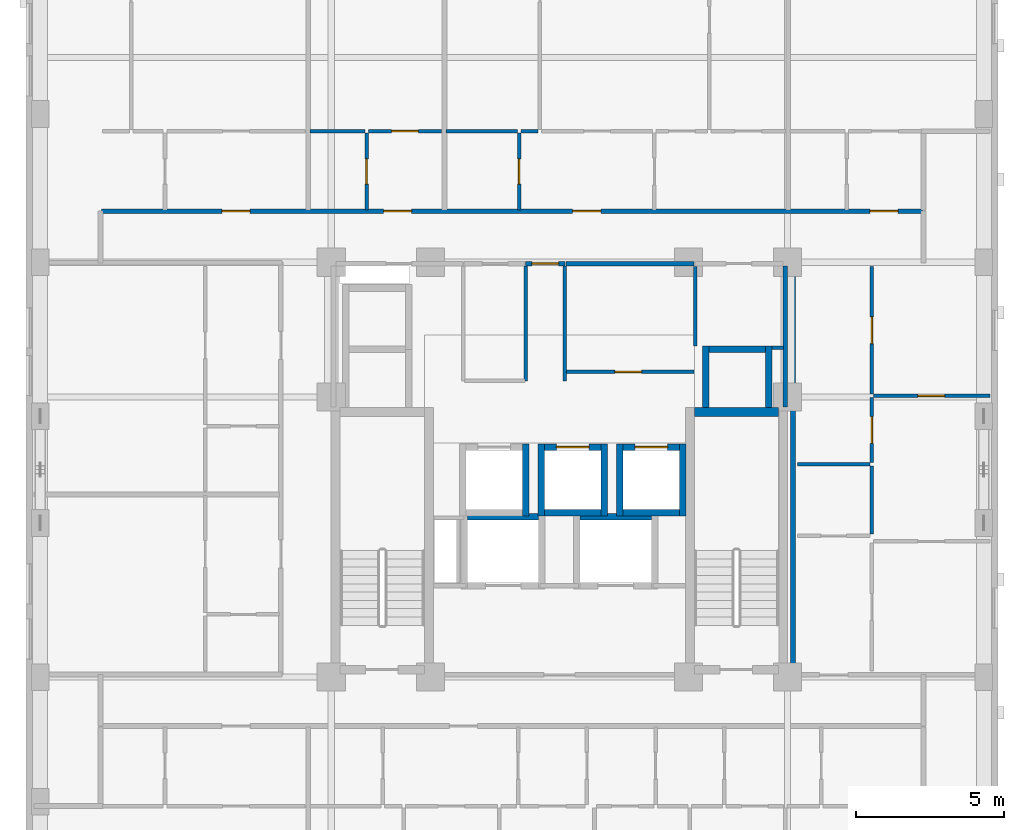
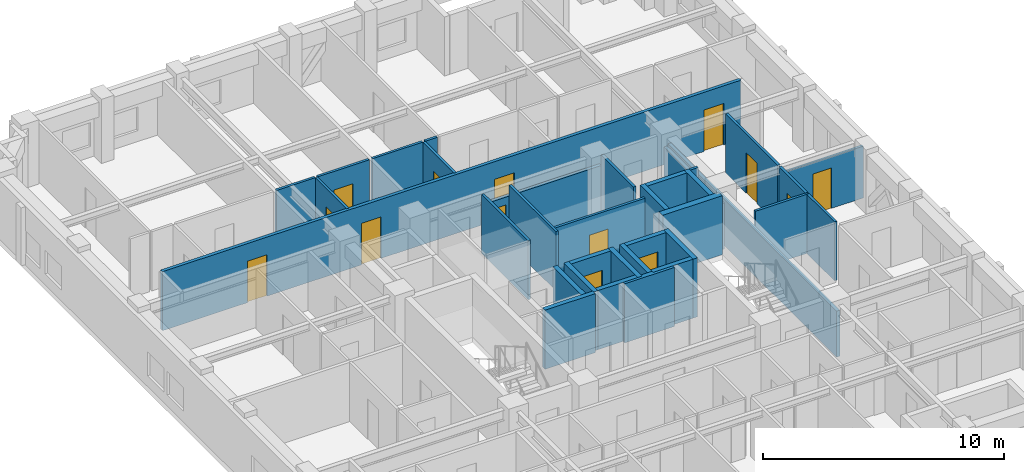
# One storey, part 6 of 11: 36 walls, 14 doors, 14 openings.
"""IFC4 building model written with IfcOpenShell, lengths in metres."""

from ifc_helpers import new_model, si_unit, derived_unit, direction, frame, frame_2d, origin, place, context, subcontext, project, spatial, rectangle, extrude, material, layer, layer_set, type_object, element, fill, save


model = new_model("IFC4")

# Units and contexts
model_context = context("Model", 3, precision=1e-05, world=origin(), true_north=direction((0.0, 1.0)))
body_context = subcontext(model_context, "Body", "Model", "MODEL_VIEW")
ifc_project = project(units=[si_unit("LENGTHUNIT", "METRE"), si_unit("AREAUNIT", "SQUARE_METRE"), si_unit("VOLUMEUNIT", "CUBIC_METRE"), si_unit("PLANEANGLEUNIT", "RADIAN"), si_unit("MASSUNIT", "GRAM", prefix="KILO"), derived_unit("THERMALTRANSMITTANCEUNIT", [(si_unit("MASSUNIT", "GRAM", prefix="KILO"), 1), (si_unit("TIMEUNIT", "SECOND"), -3), (si_unit("THERMODYNAMICTEMPERATUREUNIT", "KELVIN"), -1)])], contexts=[model_context])

# Site, building, storey
site_placement = place(None, origin())
site = spatial("IfcSite", under=ifc_project, at=site_placement, CompositionType="ELEMENT")
building_placement = place(site_placement, origin())
building = spatial("IfcBuilding", under=site, at=building_placement, Name="Korrvale Station Residences", CompositionType="ELEMENT")
storey_placement = place(building_placement, frame((0.0, 0.0, 147.14990234375)))
storey = spatial("IfcBuildingStorey", under=building, at=storey_placement, Name="L42", CompositionType="ELEMENT", Elevation=147.14990234375)

# Walls
ifc_material_1 = material(Name="Concrete C60/75", Category="concrete")
ifc_layer_1 = layer(ifc_material_1, 0.300048828125, Name="Concrete C60/75")
ifc_layer_set_1 = layer_set([ifc_layer_1], Name="Concrete C60/75")
wall_type_1 = type_object("IfcWallType", Name="WAL-CORE-300-C60", PredefinedType="SHEAR", material=ifc_layer_set_1)
wall_1_placement = place(storey_placement, frame((30.050048828125, 23.949951171875, 0.0), z_axis=(0.0, 0.0, 1.0), x_axis=(1.0, 0.0, 0.0)))
element("IfcWall", 1, at=wall_1_placement, inside=storey, type_object=wall_type_1, Name="L42 ST-2 Core Shear Wall North", PredefinedType="SHEAR", context=body_context, shape_type="SweptSolid", body=[
    extrude(rectangle(XDim=2.849853515625, YDim=0.300048828125, at=frame_2d((1.4248046875, 0.0))), origin(), (0.0, 0.0, 1.0), 2.989990234375),
])
ifc_material_2 = material(Name="Acoustic steel-stud gypsum board partition", Category="steel")
ifc_layer_2 = layer(ifc_material_2, 0.1201171875, Name="Acoustic steel-stud gypsum board partition")
ifc_layer_set_2 = layer_set([ifc_layer_2], Name="Acoustic steel-stud gypsum board partition")
wall_type_2 = type_object("IfcWallType", Name="WAL-PART-125", PredefinedType="PARTITIONING", material=ifc_layer_set_2)
for number, where, z_axis, x_axis, name in (
    (2, (24.360107421875, 25.0, 0.0), (0.0, 0.0, 1.0), (0.0, 1.0, 0.0), "L42 Core Partition CW-PSG-W"),
    (3, (25.679931640625, 25.0, 0.0), (0.0, 0.0, 1.0), (0.0, 1.0, 0.0), "L42 Core Partition CW-PSG-E"),
):
    element("IfcWall", number, at=place(storey_placement, frame(where, z_axis=z_axis, x_axis=x_axis)), inside=storey, type_object=wall_type_2, Name=name, PredefinedType="PARTITIONING", context=body_context, shape_type="SweptSolid", body=[
        extrude(rectangle(XDim=3.8701171875, YDim=0.1201171875, at=frame_2d((1.93505859375, 0.0))), origin(), (0.0, 0.0, 1.0), 2.989990234375),
    ])
wall_2_placement = place(storey_placement, frame((30.080078125, 26.179931640625, 0.0), z_axis=(0.0, 0.0, 1.0), x_axis=(0.0, 1.0, 0.0)))
element("IfcWall", 4, at=wall_2_placement, inside=storey, type_object=wall_type_2, Name="L42 Core Partition CW-CS-W", PredefinedType="PARTITIONING", context=body_context, shape_type="SweptSolid", body=[
    extrude(rectangle(XDim=2.68017578125, YDim=0.1201171875, at=frame_2d((1.340087890625, 0.0))), origin(), (0.0, 0.0, 1.0), 2.989990234375),
])
wall_3_placement = place(storey_placement, frame((32.679931640625, 26.1201171875, 0.0), z_axis=(0.0, 0.0, 1.0), x_axis=(1.0, 0.0, 0.0)))
element("IfcWall", 5, at=wall_3_placement, inside=storey, type_object=wall_type_2, Name="L42 Core Partition CW-CS-S", PredefinedType="PARTITIONING", context=body_context, shape_type="SweptSolid", body=[
    extrude(rectangle(XDim=0.380126953125, YDim=0.1201171875, at=frame_2d((0.18994140625, 0.0))), origin(), (0.0, 0.0, 1.0), 2.989990234375),
])

# Wall, opening, door
wall_4_placement = place(storey_placement, frame((25.719970703125, 25.300048828125, 0.0), z_axis=(0.0, 0.0, 1.0), x_axis=(1.0, 0.0, 0.0)))
wall_4 = element("IfcWall", 6, at=wall_4_placement, inside=storey, type_object=wall_type_2, Name="L42 Core Partition CW-FPLE-S", PredefinedType="PARTITIONING", context=body_context, shape_type="SweptSolid", body=[
    extrude(rectangle(XDim=4.320068359375, YDim=0.1201171875, at=frame_2d((2.16015625, 0.0))), origin(), (0.0, 0.0, 1.0), 2.989990234375),
])
opening_1_placement = place(wall_4_placement, frame((1.64990234375, 0.0, 0.0)))
opening_1 = element("IfcOpeningElement", 7, at=opening_1_placement, cuts=wall_4, Name="Opening DI-900", PredefinedType="OPENING", context=body_context, shape_type="SweptSolid", body=[
    extrude(rectangle(XDim=0.89990234375, YDim=2.050048828125, at=frame_2d((0.449951171875, 1.02490234375))), frame((0.0, 0.070068359375, 0.0), z_axis=(0.0, -1.0, 0.0), x_axis=(1.0, 0.0, 0.0)), (0.0, 0.0, 1.0), 0.14013671875),
])
ifc_material_3 = material(Name="Painted solid-core timber interior room door", Category="wood")
door_type_1 = type_object("IfcDoorType", Name="DR-INT-900", OperationType="NOTDEFINED", PredefinedType="DOOR", material=ifc_material_3)
door_1_placement = place(opening_1_placement, origin())
door_1 = element("IfcDoor", 8, at=door_1_placement, inside=storey, type_object=door_type_1, Name="L42 Housekeeping Linen Door", OperationType="SINGLE_SWING_LEFT", OverallHeight=2.050048828125, OverallWidth=0.89990234375, PredefinedType="DOOR", context=body_context, shape_type="SweptSolid", body=[
    extrude(rectangle(XDim=0.89990234375, YDim=2.050048828125, at=frame_2d((0.449951171875, 1.02490234375))), frame((0.0, 0.02490234375, 0.0), z_axis=(0.0, -1.0, 0.0), x_axis=(1.0, 0.0, 0.0)), (0.0, 0.0, 1.0), 0.050048828125),
])
fill(opening_1, door_1)

wall_5_placement = place(storey_placement, frame((18.993896484375, 30.760009765625, 0.0), z_axis=(0.0, 0.0, 1.0), x_axis=(0.0, 1.0, 0.0)))
wall_5 = element("IfcWall", 9, at=wall_5_placement, inside=storey, type_object=wall_type_2, Name="L42 Suite Partition U04-V01", PredefinedType="PARTITIONING", context=body_context, shape_type="SweptSolid", body=[
    extrude(rectangle(XDim=2.60009765625, YDim=0.1201171875, at=frame_2d((1.300048828125, 0.0))), origin(), (0.0, 0.0, 1.0), 2.989990234375),
])
opening_2_placement = place(wall_5_placement, frame((0.8701171875, 0.0, 0.0)))
opening_2 = element("IfcOpeningElement", 10, at=opening_2_placement, cuts=wall_5, Name="Opening DB-860", PredefinedType="OPENING", context=body_context, shape_type="SweptSolid", body=[
    extrude(rectangle(XDim=0.860107421875, YDim=2.050048828125, at=frame_2d((0.43017578125, 1.02490234375))), frame((0.0, 0.070068359375, 0.0), z_axis=(0.0, -1.0, 0.0), x_axis=(1.0, 0.0, 0.0)), (0.0, 0.0, 1.0), 0.14013671875),
])
ifc_material_4 = material(Name="Moisture-resistant solid-core bathroom door", Category="timber")
door_type_2 = type_object("IfcDoorType", Name="DR-BATH-860", OperationType="NOTDEFINED", PredefinedType="DOOR", material=ifc_material_4)
door_2_placement = place(opening_2_placement, origin())
door_2 = element("IfcDoor", 11, at=door_2_placement, inside=storey, type_object=door_type_2, Name="L42 Studio Apartment L42-U04 Bathroom Door", OperationType="SINGLE_SWING_LEFT", OverallHeight=2.050048828125, OverallWidth=0.860107421875, PredefinedType="DOOR", context=body_context, shape_type="SweptSolid", body=[
    extrude(rectangle(XDim=0.860107421875, YDim=2.050048828125, at=frame_2d((0.43017578125, 1.02490234375))), frame((0.0, 0.02490234375, 0.0), z_axis=(0.0, -1.0, 0.0), x_axis=(1.0, 0.0, 0.0)), (0.0, 0.0, 1.0), 0.050048828125),
])
fill(opening_2, door_2)

# Wall
wall_6_placement = place(storey_placement, frame((17.083984375, 33.419921875, 0.0), z_axis=(0.0, 0.0, 1.0), x_axis=(1.0, 0.0, 0.0)))
element("IfcWall", 12, at=wall_6_placement, inside=storey, type_object=wall_type_2, Name="L42 Suite Partition U04-H02", PredefinedType="PARTITIONING", context=body_context, shape_type="SweptSolid", body=[
    extrude(rectangle(XDim=1.85009765625, YDim=0.1201171875, at=frame_2d((0.925048828125, 0.0))), origin(), (0.0, 0.0, 1.0), 2.989990234375),
])

# Wall, opening, door
wall_7_placement = place(storey_placement, frame((19.053955078125, 33.419921875, 0.0), z_axis=(0.0, 0.0, 1.0), x_axis=(1.0, 0.0, 0.0)))
wall_7 = element("IfcWall", 13, at=wall_7_placement, inside=storey, type_object=wall_type_2, Name="L42 Suite Partition U04-H12", PredefinedType="PARTITIONING", context=body_context, shape_type="SweptSolid", body=[
    extrude(rectangle(XDim=2.467041015625, YDim=0.1201171875, at=frame_2d((1.2333984375, 0.0))), origin(), (0.0, 0.0, 1.0), 2.989990234375),
])
opening_3_placement = place(wall_7_placement, frame((0.782958984375, 0.0, 0.0)))
opening_3 = element("IfcOpeningElement", 14, at=opening_3_placement, cuts=wall_7, Name="Opening DI-900", PredefinedType="OPENING", context=body_context, shape_type="SweptSolid", body=[
    extrude(rectangle(XDim=0.89990234375, YDim=2.050048828125, at=frame_2d((0.449951171875, 1.02490234375))), frame((0.0, 0.070068359375, 0.0), z_axis=(0.0, -1.0, 0.0), x_axis=(1.0, 0.0, 0.0)), (0.0, 0.0, 1.0), 0.14013671875),
])
door_3_placement = place(opening_3_placement, origin())
door_3 = element("IfcDoor", 15, at=door_3_placement, inside=storey, type_object=door_type_1, Name="L42 Studio Apartment L42-U04 Kitchen Door", OperationType="SINGLE_SWING_RIGHT", OverallHeight=2.050048828125, OverallWidth=0.89990234375, PredefinedType="DOOR", context=body_context, shape_type="SweptSolid", body=[
    extrude(rectangle(XDim=0.89990234375, YDim=2.050048828125, at=frame_2d((0.449951171875, 1.02490234375))), frame((0.0, 0.02490234375, 0.0), z_axis=(0.0, -1.0, 0.0), x_axis=(1.0, 0.0, 0.0)), (0.0, 0.0, 1.0), 0.050048828125),
])
fill(opening_3, door_3)

wall_8_placement = place(storey_placement, frame((24.14111328125, 30.760009765625, 0.0), z_axis=(0.0, 0.0, 1.0), x_axis=(0.0, 1.0, 0.0)))
wall_8 = element("IfcWall", 16, at=wall_8_placement, inside=storey, type_object=wall_type_2, Name="L42 Suite Partition U05-V01", PredefinedType="PARTITIONING", context=body_context, shape_type="SweptSolid", body=[
    extrude(rectangle(XDim=2.60009765625, YDim=0.1201171875, at=frame_2d((1.300048828125, 0.0))), origin(), (0.0, 0.0, 1.0), 2.989990234375),
])
opening_4_placement = place(wall_8_placement, frame((0.8701171875, 0.0, 0.0)))
opening_4 = element("IfcOpeningElement", 17, at=opening_4_placement, cuts=wall_8, Name="Opening DB-860", PredefinedType="OPENING", context=body_context, shape_type="SweptSolid", body=[
    extrude(rectangle(XDim=0.860107421875, YDim=2.050048828125, at=frame_2d((0.43017578125, 1.02490234375))), frame((0.0, 0.070068359375, 0.0), z_axis=(0.0, -1.0, 0.0), x_axis=(1.0, 0.0, 0.0)), (0.0, 0.0, 1.0), 0.14013671875),
])
door_4_placement = place(opening_4_placement, origin())
door_4 = element("IfcDoor", 18, at=door_4_placement, inside=storey, type_object=door_type_2, Name="L42 Studio Apartment L42-U05 Bathroom Door", OperationType="SINGLE_SWING_LEFT", OverallHeight=2.050048828125, OverallWidth=0.860107421875, PredefinedType="DOOR", context=body_context, shape_type="SweptSolid", body=[
    extrude(rectangle(XDim=0.860107421875, YDim=2.050048828125, at=frame_2d((0.43017578125, 1.02490234375))), frame((0.0, 0.02490234375, 0.0), z_axis=(0.0, -1.0, 0.0), x_axis=(1.0, 0.0, 0.0)), (0.0, 0.0, 1.0), 0.050048828125),
])
fill(opening_4, door_4)

# Walls
wall_9_placement = place(storey_placement, frame((21.680908203125, 33.419921875, 0.0), z_axis=(0.0, 0.0, 1.0), x_axis=(1.0, 0.0, 0.0)))
element("IfcWall", 19, at=wall_9_placement, inside=storey, type_object=wall_type_2, Name="L42 Suite Partition U05-H03", PredefinedType="PARTITIONING", context=body_context, shape_type="SweptSolid", body=[
    extrude(rectangle(XDim=2.400146484375, YDim=0.1201171875, at=frame_2d((1.2001953125, 0.0))), origin(), (0.0, 0.0, 1.0), 2.989990234375),
])
wall_10_placement = place(storey_placement, frame((24.200927734375, 33.419921875, 0.0), z_axis=(0.0, 0.0, 1.0), x_axis=(1.0, 0.0, 0.0)))
element("IfcWall", 20, at=wall_10_placement, inside=storey, type_object=wall_type_2, Name="L42 Suite Partition U05-H13", PredefinedType="PARTITIONING", context=body_context, shape_type="SweptSolid", body=[
    extrude(rectangle(XDim=0.580078125, YDim=0.1201171875, at=frame_2d((0.2900390625, 0.0))), origin(), (0.0, 0.0, 1.0), 2.989990234375),
])
wall_11_placement = place(storey_placement, frame((33.530029296875, 22.18994140625, 0.0), z_axis=(0.0, 0.0, 1.0), x_axis=(1.0, 0.0, 0.0)))
element("IfcWall", 21, at=wall_11_placement, inside=storey, type_object=wall_type_2, Name="L42 Suite Partition U09-H01", PredefinedType="PARTITIONING", context=body_context, shape_type="SweptSolid", body=[
    extrude(rectangle(XDim=2.449951171875, YDim=0.1201171875, at=frame_2d((1.22509765625, 0.0))), origin(), (0.0, 0.0, 1.0), 2.989990234375),
])

# Wall, opening, door
wall_12_placement = place(storey_placement, frame((36.0400390625, 22.25, 0.0), z_axis=(0.0, 0.0, 1.0), x_axis=(0.0, 1.0, 0.0)))
wall_12 = element("IfcWall", 22, at=wall_12_placement, inside=storey, type_object=wall_type_2, Name="L42 Suite Partition U09-V04", PredefinedType="PARTITIONING", context=body_context, shape_type="SweptSolid", body=[
    extrude(rectangle(XDim=2.181884765625, YDim=0.1201171875, at=frame_2d((1.0908203125, 0.0))), origin(), (0.0, 0.0, 1.0), 2.989990234375),
])
opening_5_placement = place(wall_12_placement, frame((0.64111328125, 0.0, 0.0)))
opening_5 = element("IfcOpeningElement", 23, at=opening_5_placement, cuts=wall_12, Name="Opening DI-900", PredefinedType="OPENING", context=body_context, shape_type="SweptSolid", body=[
    extrude(rectangle(XDim=0.89990234375, YDim=2.050048828125, at=frame_2d((0.449951171875, 1.02490234375))), frame((0.0, 0.070068359375, 0.0), z_axis=(0.0, -1.0, 0.0), x_axis=(1.0, 0.0, 0.0)), (0.0, 0.0, 1.0), 0.14013671875),
])
door_5_placement = place(opening_5_placement, origin())
door_5 = element("IfcDoor", 24, at=door_5_placement, inside=storey, type_object=door_type_1, Name="L42 Apartment 2BR L42-U09 Wardrobe Storage Room Door", OperationType="SINGLE_SWING_LEFT", OverallHeight=2.050048828125, OverallWidth=0.89990234375, PredefinedType="DOOR", context=body_context, shape_type="SweptSolid", body=[
    extrude(rectangle(XDim=0.89990234375, YDim=2.050048828125, at=frame_2d((0.449951171875, 1.02490234375))), frame((0.0, 0.02490234375, 0.0), z_axis=(0.0, -1.0, 0.0), x_axis=(1.0, 0.0, 0.0)), (0.0, 0.0, 1.0), 0.050048828125),
])
fill(opening_5, door_5)

wall_13_placement = place(storey_placement, frame((36.0400390625, 24.552001953125, 0.0), z_axis=(0.0, 0.0, 1.0), x_axis=(0.0, 1.0, 0.0)))
wall_13 = element("IfcWall", 25, at=wall_13_placement, inside=storey, type_object=wall_type_2, Name="L42 Suite Partition U09-V05", PredefinedType="PARTITIONING", context=body_context, shape_type="SweptSolid", body=[
    extrude(rectangle(XDim=4.30810546875, YDim=0.1201171875, at=frame_2d((2.154052734375, 0.0))), origin(), (0.0, 0.0, 1.0), 2.989990234375),
])
opening_6_placement = place(wall_13_placement, frame((1.7041015625, 0.0, 0.0)))
opening_6 = element("IfcOpeningElement", 26, at=opening_6_placement, cuts=wall_13, Name="Opening DI-900", PredefinedType="OPENING", context=body_context, shape_type="SweptSolid", body=[
    extrude(rectangle(XDim=0.89990234375, YDim=2.050048828125, at=frame_2d((0.449951171875, 1.02490234375))), frame((0.0, 0.070068359375, 0.0), z_axis=(0.0, -1.0, 0.0), x_axis=(1.0, 0.0, 0.0)), (0.0, 0.0, 1.0), 0.14013671875),
])
door_6_placement = place(opening_6_placement, origin())
door_6 = element("IfcDoor", 27, at=door_6_placement, inside=storey, type_object=door_type_1, Name="L42 Apartment 2BR L42-U09 Wardrobe Storage Room Door", OperationType="SINGLE_SWING_RIGHT", OverallHeight=2.050048828125, OverallWidth=0.89990234375, PredefinedType="DOOR", context=body_context, shape_type="SweptSolid", body=[
    extrude(rectangle(XDim=0.89990234375, YDim=2.050048828125, at=frame_2d((0.449951171875, 1.02490234375))), frame((0.0, 0.02490234375, 0.0), z_axis=(0.0, -1.0, 0.0), x_axis=(1.0, 0.0, 0.0)), (0.0, 0.0, 1.0), 0.050048828125),
])
fill(opening_6, door_6)

# Wall
wall_14_placement = place(storey_placement, frame((36.0400390625, 19.830078125, 0.0), z_axis=(0.0, 0.0, 1.0), x_axis=(0.0, 1.0, 0.0)))
element("IfcWall", 28, at=wall_14_placement, inside=storey, type_object=wall_type_2, Name="L42 Suite Partition U09-V14", PredefinedType="PARTITIONING", context=body_context, shape_type="SweptSolid", body=[
    extrude(rectangle(XDim=2.2998046875, YDim=0.1201171875, at=frame_2d((1.14990234375, 0.0))), origin(), (0.0, 0.0, 1.0), 2.989990234375),
])

# Wall, opening, door
wall_15_placement = place(storey_placement, frame((36.10009765625, 24.491943359375, 0.0), z_axis=(0.0, 0.0, 1.0), x_axis=(1.0, 0.0, 0.0)))
wall_15 = element("IfcWall", 29, at=wall_15_placement, inside=storey, type_object=wall_type_2, Name="L42 Suite Partition U09-H45", PredefinedType="PARTITIONING", context=body_context, shape_type="SweptSolid", body=[
    extrude(rectangle(XDim=3.919921875, YDim=0.1201171875, at=frame_2d((1.9599609375, 0.0))), origin(), (0.0, 0.0, 1.0), 2.62109375),
])
opening_7_placement = place(wall_15_placement, frame((1.4951171875, 0.0, 0.0)))
opening_7 = element("IfcOpeningElement", 30, at=opening_7_placement, cuts=wall_15, Name="Opening DI-900", PredefinedType="OPENING", context=body_context, shape_type="SweptSolid", body=[
    extrude(rectangle(XDim=0.89990234375, YDim=2.050048828125, at=frame_2d((0.449951171875, 1.02490234375))), frame((0.0, 0.070068359375, 0.0), z_axis=(0.0, -1.0, 0.0), x_axis=(1.0, 0.0, 0.0)), (0.0, 0.0, 1.0), 0.14013671875),
])
door_7_placement = place(opening_7_placement, origin())
door_7 = element("IfcDoor", 31, at=door_7_placement, inside=storey, type_object=door_type_1, Name="L42 Apartment 2BR L42-U09 Living and Dining Room Door", OperationType="SINGLE_SWING_RIGHT", OverallHeight=2.050048828125, OverallWidth=0.89990234375, PredefinedType="DOOR", context=body_context, shape_type="SweptSolid", body=[
    extrude(rectangle(XDim=0.89990234375, YDim=2.050048828125, at=frame_2d((0.449951171875, 1.02490234375))), frame((0.0, 0.02490234375, 0.0), z_axis=(0.0, -1.0, 0.0), x_axis=(1.0, 0.0, 0.0)), (0.0, 0.0, 1.0), 0.050048828125),
])
fill(opening_7, door_7)

# Wall
ifc_material_5 = material(Name="Fire-rated twin-stud gypsum and mineral wool shaftwall assembly", Category="gypsum")
ifc_layer_3 = layer(ifc_material_5, 0.159912109375, Name="Fire-rated twin-stud gypsum and mineral wool shaftwall assembly")
ifc_layer_set_3 = layer_set([ifc_layer_3], Name="Fire-rated twin-stud gypsum and mineral wool shaftwall assembly")
wall_type_3 = type_object("IfcWallType", Name="WAL-PART-200", PredefinedType="PARTITIONING", material=ifc_layer_set_3)
wall_16_placement = place(storey_placement, frame((33.1201171875, 24.1201171875, 0.0), z_axis=(0.0, 0.0, 1.0), x_axis=(0.0, 1.0, 0.0)))
element("IfcWall", 32, at=wall_16_placement, inside=storey, type_object=wall_type_3, Name="L42 Core Partition CW-E-N", PredefinedType="PARTITIONING", context=body_context, shape_type="SweptSolid", body=[
    extrude(rectangle(XDim=4.759765625, YDim=0.159912109375, at=frame_2d((2.3798828125, 0.0))), origin(), (0.0, 0.0, 1.0), 2.3251953125),
])

# Wall, opening, door
wall_17_placement = place(storey_placement, frame((24.360107421875, 28.949951171875, 0.0), z_axis=(0.0, 0.0, 1.0), x_axis=(1.0, 0.0, 0.0)))
wall_17 = element("IfcWall", 33, at=wall_17_placement, inside=storey, type_object=wall_type_3, Name="L42 Core Partition CW-LLOB-N", PredefinedType="PARTITIONING", context=body_context, shape_type="SweptSolid", body=[
    extrude(rectangle(XDim=1.31982421875, YDim=0.159912109375, at=frame_2d((0.659912109375, 0.0))), origin(), (0.0, 0.0, 1.0), 2.442138671875),
])
opening_8_placement = place(wall_17_placement, frame((0.2099609375, 0.0, 0.0)))
opening_8 = element("IfcOpeningElement", 34, at=opening_8_placement, cuts=wall_17, Name="Opening DI-900", PredefinedType="OPENING", context=body_context, shape_type="SweptSolid", body=[
    extrude(rectangle(XDim=0.89990234375, YDim=2.050048828125, at=frame_2d((0.449951171875, 1.02490234375))), frame((0.0, 0.08984375, 0.0), z_axis=(0.0, -1.0, 0.0), x_axis=(1.0, 0.0, 0.0)), (0.0, 0.0, 1.0), 0.179931640625),
])
door_8_placement = place(opening_8_placement, origin())
door_8 = element("IfcDoor", 35, at=door_8_placement, inside=storey, type_object=door_type_1, Name="L42 Central Hallway North Passage Door", OperationType="SINGLE_SWING_LEFT", OverallHeight=2.050048828125, OverallWidth=0.89990234375, PredefinedType="DOOR", context=body_context, shape_type="SweptSolid", body=[
    extrude(rectangle(XDim=0.89990234375, YDim=2.050048828125, at=frame_2d((0.449951171875, 1.02490234375))), frame((0.0, 0.02490234375, 0.0), z_axis=(0.0, -1.0, 0.0), x_axis=(1.0, 0.0, 0.0)), (0.0, 0.0, 1.0), 0.050048828125),
])
fill(opening_8, door_8)

# Wall
wall_18_placement = place(storey_placement, frame((25.719970703125, 28.949951171875, 0.0), z_axis=(0.0, 0.0, 1.0), x_axis=(1.0, 0.0, 0.0)))
element("IfcWall", 36, at=wall_18_placement, inside=storey, type_object=wall_type_3, Name="L42 Core Partition CW-FPLE-N", PredefinedType="PARTITIONING", context=body_context, shape_type="SweptSolid", body=[
    extrude(rectangle(XDim=4.320068359375, YDim=0.159912109375, at=frame_2d((2.16015625, 0.0))), origin(), (0.0, 0.0, 1.0), 2.442138671875),
])

# Wall, openings, doors
wall_19_placement = place(storey_placement, frame((10.050048828125, 30.719970703125, 0.0), z_axis=(0.0, 0.0, 1.0), x_axis=(1.0, 0.0, 0.0)))
wall_19 = element("IfcWall", 37, at=wall_19_placement, inside=storey, type_object=wall_type_3, Name="L42 Rated Corridor Wall N", PredefinedType="PARTITIONING", context=body_context, shape_type="SweptSolid", body=[
    extrude(rectangle(XDim=27.699951171875, YDim=0.159912109375, at=frame_2d((13.85009765625, 0.0))), origin(), (0.0, 0.0, 1.0), 2.989990234375),
])
opening_9_placement = place(wall_19_placement, frame((4.06298828125, 0.0, 0.0)))
opening_9 = element("IfcOpeningElement", 38, at=opening_9_placement, cuts=wall_19, Name="Opening UD-950", PredefinedType="OPENING", context=body_context, shape_type="SweptSolid", body=[
    extrude(rectangle(XDim=0.949951171875, YDim=2.10009765625, at=frame_2d((0.47509765625, 1.050048828125))), frame((0.0, 0.08984375, 0.0), z_axis=(0.0, -1.0, 0.0), x_axis=(1.0, 0.0, 0.0)), (0.0, 0.0, 1.0), 0.179931640625),
])
opening_10_placement = place(wall_19_placement, frame((9.514892578125, 0.0, 0.0)))
opening_10 = element("IfcOpeningElement", 39, at=opening_10_placement, cuts=wall_19, Name="Opening UD-950", PredefinedType="OPENING", context=body_context, shape_type="SweptSolid", body=[
    extrude(rectangle(XDim=0.949951171875, YDim=2.10009765625, at=frame_2d((0.47509765625, 1.050048828125))), frame((0.0, 0.08984375, 0.0), z_axis=(0.0, -1.0, 0.0), x_axis=(1.0, 0.0, 0.0)), (0.0, 0.0, 1.0), 0.179931640625),
])
opening_11_placement = place(wall_19_placement, frame((15.89599609375, 0.0, 0.0)))
opening_11 = element("IfcOpeningElement", 40, at=opening_11_placement, cuts=wall_19, Name="Opening UD-950", PredefinedType="OPENING", context=body_context, shape_type="SweptSolid", body=[
    extrude(rectangle(XDim=0.949951171875, YDim=2.10009765625, at=frame_2d((0.47509765625, 1.050048828125))), frame((0.0, 0.08984375, 0.0), z_axis=(0.0, -1.0, 0.0), x_axis=(1.0, 0.0, 0.0)), (0.0, 0.0, 1.0), 0.179931640625),
])
opening_12_placement = place(wall_19_placement, frame((25.925048828125, 0.0, 0.0)))
opening_12 = element("IfcOpeningElement", 41, at=opening_12_placement, cuts=wall_19, Name="Opening UD-950", PredefinedType="OPENING", context=body_context, shape_type="SweptSolid", body=[
    extrude(rectangle(XDim=0.949951171875, YDim=2.10009765625, at=frame_2d((0.47509765625, 1.050048828125))), frame((0.0, 0.08984375, 0.0), z_axis=(0.0, -1.0, 0.0), x_axis=(1.0, 0.0, 0.0)), (0.0, 0.0, 1.0), 0.179931640625),
])
ifc_material_6 = material(Name="Solid-core acoustic oak apartment entrance door", Category="timber")
door_type_3 = type_object("IfcDoorType", Name="DR-UNIT-950", OperationType="NOTDEFINED", PredefinedType="DOOR", material=ifc_material_6)
door_9_placement = place(opening_9_placement, origin())
door_9 = element("IfcDoor", 42, at=door_9_placement, inside=storey, type_object=door_type_3, Name="L42 Apartment L42-U03 Entrance Door", OperationType="SINGLE_SWING_LEFT", OverallHeight=2.10009765625, OverallWidth=0.949951171875, PredefinedType="DOOR", context=body_context, shape_type="SweptSolid", body=[
    extrude(rectangle(XDim=0.949951171875, YDim=2.10009765625, at=frame_2d((0.47509765625, 1.050048828125))), frame((0.0, 0.02490234375, 0.0), z_axis=(0.0, -1.0, 0.0), x_axis=(1.0, 0.0, 0.0)), (0.0, 0.0, 1.0), 0.050048828125),
])
fill(opening_9, door_9)
door_10_placement = place(opening_10_placement, origin())
door_10 = element("IfcDoor", 43, at=door_10_placement, inside=storey, type_object=door_type_3, Name="L42 Apartment L42-U04 Entrance Door", OperationType="SINGLE_SWING_RIGHT", OverallHeight=2.10009765625, OverallWidth=0.949951171875, PredefinedType="DOOR", context=body_context, shape_type="SweptSolid", body=[
    extrude(rectangle(XDim=0.949951171875, YDim=2.10009765625, at=frame_2d((0.47509765625, 1.050048828125))), frame((0.0, 0.02490234375, 0.0), z_axis=(0.0, -1.0, 0.0), x_axis=(1.0, 0.0, 0.0)), (0.0, 0.0, 1.0), 0.050048828125),
])
fill(opening_10, door_10)
door_11_placement = place(opening_11_placement, origin())
door_11 = element("IfcDoor", 44, at=door_11_placement, inside=storey, type_object=door_type_3, Name="L42 Apartment L42-U05 Entrance Door", OperationType="SINGLE_SWING_LEFT", OverallHeight=2.10009765625, OverallWidth=0.949951171875, PredefinedType="DOOR", context=body_context, shape_type="SweptSolid", body=[
    extrude(rectangle(XDim=0.949951171875, YDim=2.10009765625, at=frame_2d((0.47509765625, 1.050048828125))), frame((0.0, 0.02490234375, 0.0), z_axis=(0.0, -1.0, 0.0), x_axis=(1.0, 0.0, 0.0)), (0.0, 0.0, 1.0), 0.050048828125),
])
fill(opening_11, door_11)
door_12_placement = place(opening_12_placement, origin())
door_12 = element("IfcDoor", 45, at=door_12_placement, inside=storey, type_object=door_type_3, Name="L42 Apartment L42-U06 Entrance Door", OperationType="SINGLE_SWING_RIGHT", OverallHeight=2.10009765625, OverallWidth=0.949951171875, PredefinedType="DOOR", context=body_context, shape_type="SweptSolid", body=[
    extrude(rectangle(XDim=0.949951171875, YDim=2.10009765625, at=frame_2d((0.47509765625, 1.050048828125))), frame((0.0, 0.02490234375, 0.0), z_axis=(0.0, -1.0, 0.0), x_axis=(1.0, 0.0, 0.0)), (0.0, 0.0, 1.0), 0.050048828125),
])
fill(opening_12, door_12)

# Walls
wall_20_placement = place(storey_placement, frame((33.3798828125, 15.02001953125, 0.0), z_axis=(0.0, 0.0, 1.0), x_axis=(0.0, 1.0, 0.0)))
element("IfcWall", 46, at=wall_20_placement, inside=storey, type_object=wall_type_3, Name="L42 Rated Corridor Wall E", PredefinedType="PARTITIONING", context=body_context, shape_type="SweptSolid", body=[
    extrude(rectangle(XDim=13.97998046875, YDim=0.159912109375, at=frame_2d((6.989990234375, 0.0))), origin(), (0.0, 0.0, 1.0), 2.3251953125),
])
ifc_layer_4 = layer(ifc_material_1, 0.219970703125, Name="Concrete C60/75")
ifc_layer_set_4 = layer_set([ifc_layer_4], Name="Concrete C60/75")
wall_type_4 = type_object("IfcWallType", Name="WAL-SHAFT-220-C60", PredefinedType="SHEAR", material=ifc_layer_set_4)
wall_21_placement = place(storey_placement, frame((24.360107421875, 20.429931640625, 0.0), z_axis=(0.0, 0.0, 1.0), x_axis=(0.0, 1.0, 0.0)))
element("IfcWall", 47, at=wall_21_placement, inside=storey, type_object=wall_type_4, Name="L42 Elevator PM-1 Hoistway Wall East", PredefinedType="SHEAR", context=body_context, shape_type="SweptSolid", body=[
    extrude(rectangle(XDim=2.440185546875, YDim=0.219970703125, at=frame_2d((1.22021484375, 0.0))), origin(), (0.0, 0.0, 1.0), 2.989990234375),
])
wall_22_placement = place(storey_placement, frame((25.0, 20.5400390625, 0.0), z_axis=(0.0, 0.0, 1.0), x_axis=(1.0, 0.0, 0.0)))
element("IfcWall", 48, at=wall_22_placement, inside=storey, type_object=wall_type_4, Name="L42 Elevator PM-2 Hoistway Wall South", PredefinedType="SHEAR", context=body_context, shape_type="SweptSolid", body=[
    extrude(rectangle(XDim=1.89990234375, YDim=0.219970703125, at=frame_2d((0.949951171875, 0.0))), origin(), (0.0, 0.0, 1.0), 2.989990234375),
])

# Wall, opening, door
wall_23_placement = place(storey_placement, frame((25.0, 22.760009765625, 0.0), z_axis=(0.0, 0.0, 1.0), x_axis=(1.0, 0.0, 0.0)))
wall_23 = element("IfcWall", 49, at=wall_23_placement, inside=storey, type_object=wall_type_4, Name="L42 Elevator PM-2 Hoistway Wall North", PredefinedType="SHEAR", context=body_context, shape_type="SweptSolid", body=[
    extrude(rectangle(XDim=1.89990234375, YDim=0.219970703125, at=frame_2d((0.949951171875, 0.0))), origin(), (0.0, 0.0, 1.0), 2.989990234375),
])
opening_13_placement = place(wall_23_placement, frame((0.39990234375, 0.0, 0.0)))
opening_13 = element("IfcOpeningElement", 50, at=opening_13_placement, cuts=wall_23, Name="Opening LD-1100", PredefinedType="OPENING", context=body_context, shape_type="SweptSolid", body=[
    extrude(rectangle(XDim=1.10009765625, YDim=2.14990234375, at=frame_2d((0.550048828125, 1.074951171875))), frame((0.0, 0.1201171875, 0.0), z_axis=(0.0, -1.0, 0.0), x_axis=(1.0, 0.0, 0.0)), (0.0, 0.0, 1.0), 0.239990234375),
])
ifc_material_7 = material(Name="Brushed stainless-steel elevator landing sliding door", Category="steel")
door_type_4 = type_object("IfcDoorType", Name="DR-LIFT-1100", OperationType="SLIDING_TO_LEFT", PredefinedType="DOOR", material=ifc_material_7)
door_13_placement = place(opening_13_placement, origin())
door_13 = element("IfcDoor", 51, at=door_13_placement, inside=storey, type_object=door_type_4, Name="L42 Elevator PM-2 Sliding Landing Door", OperationType="SLIDING_TO_LEFT", OverallHeight=2.14990234375, OverallWidth=1.10009765625, PredefinedType="DOOR", context=body_context, shape_type="SweptSolid", body=[
    extrude(rectangle(XDim=1.10009765625, YDim=2.14990234375, at=frame_2d((0.550048828125, 1.074951171875))), frame((0.0, 0.02490234375, 0.0), z_axis=(0.0, -1.0, 0.0), x_axis=(1.0, 0.0, 0.0)), (0.0, 0.0, 1.0), 0.050048828125),
])
fill(opening_13, door_13)

# Walls
for number, where, z_axis, x_axis, name in (
    (52, (24.889892578125, 20.429931640625, 0.0), (0.0, 0.0, 1.0), (0.0, 1.0, 0.0), "L42 Elevator PM-2 Hoistway Wall West"),
    (53, (27.010009765625, 20.429931640625, 0.0), (0.0, 0.0, 1.0), (0.0, 1.0, 0.0), "L42 Elevator PM-2 Hoistway Wall East"),
):
    element("IfcWall", number, at=place(storey_placement, frame(where, z_axis=z_axis, x_axis=x_axis)), inside=storey, type_object=wall_type_4, Name=name, PredefinedType="SHEAR", context=body_context, shape_type="SweptSolid", body=[
        extrude(rectangle(XDim=2.440185546875, YDim=0.219970703125, at=frame_2d((1.22021484375, 0.0))), origin(), (0.0, 0.0, 1.0), 2.989990234375),
    ])
wall_24_placement = place(storey_placement, frame((27.64990234375, 20.5400390625, 0.0), z_axis=(0.0, 0.0, 1.0), x_axis=(1.0, 0.0, 0.0)))
element("IfcWall", 54, at=wall_24_placement, inside=storey, type_object=wall_type_4, Name="L42 Elevator PM-3 Hoistway Wall South", PredefinedType="SHEAR", context=body_context, shape_type="SweptSolid", body=[
    extrude(rectangle(XDim=1.900146484375, YDim=0.219970703125, at=frame_2d((0.9501953125, 0.0))), origin(), (0.0, 0.0, 1.0), 2.989990234375),
])

# Wall, opening, door
wall_25_placement = place(storey_placement, frame((27.64990234375, 22.760009765625, 0.0), z_axis=(0.0, 0.0, 1.0), x_axis=(1.0, 0.0, 0.0)))
wall_25 = element("IfcWall", 55, at=wall_25_placement, inside=storey, type_object=wall_type_4, Name="L42 Elevator PM-3 Hoistway Wall North", PredefinedType="SHEAR", context=body_context, shape_type="SweptSolid", body=[
    extrude(rectangle(XDim=1.900146484375, YDim=0.219970703125, at=frame_2d((0.9501953125, 0.0))), origin(), (0.0, 0.0, 1.0), 2.989990234375),
])
opening_14_placement = place(wall_25_placement, frame((0.39990234375, 0.0, 0.0)))
opening_14 = element("IfcOpeningElement", 56, at=opening_14_placement, cuts=wall_25, Name="Opening LD-1100", PredefinedType="OPENING", context=body_context, shape_type="SweptSolid", body=[
    extrude(rectangle(XDim=1.10009765625, YDim=2.14990234375, at=frame_2d((0.550048828125, 1.074951171875))), frame((0.0, 0.1201171875, 0.0), z_axis=(0.0, -1.0, 0.0), x_axis=(1.0, 0.0, 0.0)), (0.0, 0.0, 1.0), 0.239990234375),
])
door_14_placement = place(opening_14_placement, origin())
door_14 = element("IfcDoor", 57, at=door_14_placement, inside=storey, type_object=door_type_4, Name="L42 Elevator PM-3 Sliding Landing Door", OperationType="SLIDING_TO_LEFT", OverallHeight=2.14990234375, OverallWidth=1.10009765625, PredefinedType="DOOR", context=body_context, shape_type="SweptSolid", body=[
    extrude(rectangle(XDim=1.10009765625, YDim=2.14990234375, at=frame_2d((0.550048828125, 1.074951171875))), frame((0.0, 0.02490234375, 0.0), z_axis=(0.0, -1.0, 0.0), x_axis=(1.0, 0.0, 0.0)), (0.0, 0.0, 1.0), 0.050048828125),
])
fill(opening_14, door_14)

# Walls
for number, where, z_axis, x_axis, name in (
    (58, (27.5400390625, 20.429931640625, 0.0), (0.0, 0.0, 1.0), (0.0, 1.0, 0.0), "L42 Elevator PM-3 Hoistway Wall West"),
    (59, (29.659912109375, 20.429931640625, 0.0), (0.0, 0.0, 1.0), (0.0, 1.0, 0.0), "L42 Elevator PM-3 Hoistway Wall East"),
):
    element("IfcWall", number, at=place(storey_placement, frame(where, z_axis=z_axis, x_axis=x_axis)), inside=storey, type_object=wall_type_4, Name=name, PredefinedType="SHEAR", context=body_context, shape_type="SweptSolid", body=[
        extrude(rectangle(XDim=2.440185546875, YDim=0.219970703125, at=frame_2d((1.22021484375, 0.0))), origin(), (0.0, 0.0, 1.0), 2.989990234375),
    ])
wall_26_placement = place(storey_placement, frame((30.550048828125, 26.06005859375, 0.0), z_axis=(0.0, 0.0, 1.0), x_axis=(1.0, 0.0, 0.0)))
element("IfcWall", 60, at=wall_26_placement, inside=storey, type_object=wall_type_4, Name="L42 Elevator PH-3 Hoistway Wall North", PredefinedType="SHEAR", context=body_context, shape_type="SweptSolid", body=[
    extrude(rectangle(XDim=1.89990234375, YDim=0.219970703125, at=frame_2d((0.949951171875, 0.0))), origin(), (0.0, 0.0, 1.0), 2.989990234375),
])
for number, where, z_axis, x_axis, name in (
    (61, (30.43994140625, 24.10009765625, 0.0), (0.0, 0.0, 1.0), (0.0, 1.0, 0.0), "L42 Elevator PH-3 Hoistway Wall West"),
    (62, (32.56005859375, 24.10009765625, 0.0), (0.0, 0.0, 1.0), (0.0, 1.0, 0.0), "L42 Elevator PH-3 Hoistway Wall East"),
):
    element("IfcWall", number, at=place(storey_placement, frame(where, z_axis=z_axis, x_axis=x_axis)), inside=storey, type_object=wall_type_4, Name=name, PredefinedType="SHEAR", context=body_context, shape_type="SweptSolid", body=[
        extrude(rectangle(XDim=2.06982421875, YDim=0.219970703125, at=frame_2d((1.034912109375, 0.0))), origin(), (0.0, 0.0, 1.0), 2.989990234375),
    ])
for number, where, z_axis, x_axis, name in (
    (63, (22.39990234375, 20.409912109375, 0.0), (0.0, 0.0, 1.0), (1.0, 0.0, 0.0), "L42 Elevator FFL-1 Hoistway Wall North"),
    (64, (26.199951171875, 20.409912109375, 0.0), (0.0, 0.0, 1.0), (1.0, 0.0, 0.0), "L42 Elevator FFL-2 Hoistway Wall North"),
):
    element("IfcWall", number, at=place(storey_placement, frame(where, z_axis=z_axis, x_axis=x_axis)), inside=storey, type_object=wall_type_4, Name=name, PredefinedType="SHEAR", context=body_context, shape_type="SweptSolid", body=[
        extrude(rectangle(XDim=2.400146484375, YDim=0.219970703125, at=frame_2d((1.2001953125, 0.0))), origin(), (0.0, 0.0, 1.0), 2.989990234375),
    ])

save(model, "model.ifc")
